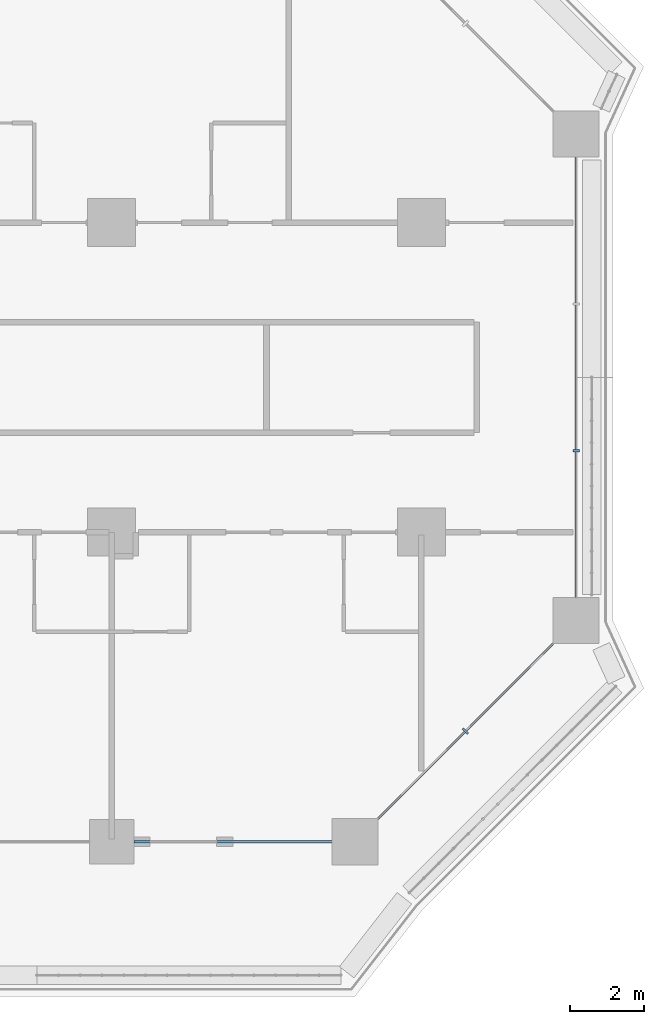
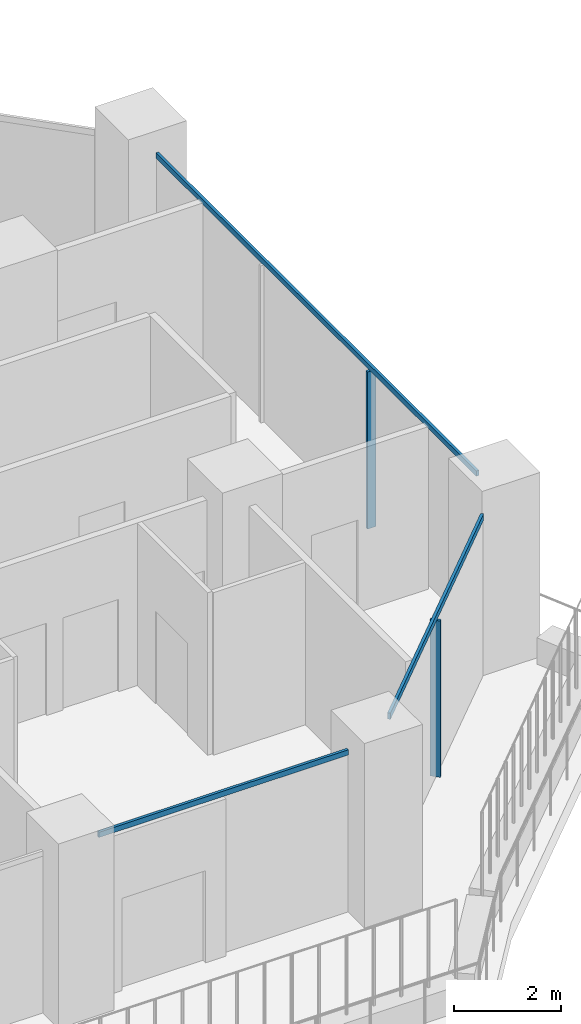
# One storey, part 6 of 28: 5 members, 3 elements without a shape of their own.
"""IFC4 building model written with IfcOpenShell, lengths in metres."""

from ifc_helpers import new_model, si_unit, direction, frame, origin, origin_2d, place, context, subcontext, project, spatial, rectangle, extrude, material, layer, layer_set, material_profile, profile_set, type_object, element, aggregate, save


model = new_model("IFC4")

# Units and contexts
model_context = context("Model", 3, precision=1e-05, world=origin(), true_north=direction((0.0, 1.0)))
body_context = subcontext(model_context, "Body", "Model", "MODEL_VIEW")
ifc_project = project(units=[si_unit("LENGTHUNIT", "METRE"), si_unit("AREAUNIT", "SQUARE_METRE"), si_unit("VOLUMEUNIT", "CUBIC_METRE"), si_unit("PLANEANGLEUNIT", "RADIAN"), si_unit("MASSUNIT", "GRAM", prefix="KILO")], contexts=[model_context])

# Site, building, storey
site_placement = place(None, origin())
site = spatial("IfcSite", under=ifc_project, at=site_placement, CompositionType="ELEMENT")
building_placement = place(site_placement, origin())
building = spatial("IfcBuilding", under=site, at=building_placement, Name="Kawkab Arch Medical Tower", CompositionType="ELEMENT")
storey_placement = place(building_placement, frame((0.0, 0.0, 89.60009765625)))
storey = spatial("IfcBuildingStorey", under=building, at=storey_placement, Name="L20", CompositionType="ELEMENT", Elevation=89.60009765625)

# Curtain wall, member
ifc_material_1 = material(Name="Bronze anodised aluminium curtain wall frame", Category="aluminium")
ifc_layer_1 = layer(ifc_material_1, 0.159912109375)
ifc_layer_set_1 = layer_set([ifc_layer_1], Name="Bronze anodised aluminium curtain wall frame")
curtain_wall_type_1 = type_object("IfcCurtainWallType", Name="CW1 ward curtain wall", PredefinedType="NOTDEFINED", material=ifc_layer_set_1)
placement = place(storey_placement, origin())
curtain_wall_1 = element("IfcCurtainWall", 1, at=placement, inside=storey, type_object=curtain_wall_type_1, Name="CW1 Ward curtain wall R09", PredefinedType="NOTDEFINED")
ifc_material_2 = material(Name="Bronze anodised aluminium curtain wall frame", Category="aluminium")
ifc_material_profile_1 = material_profile(ifc_material_2, rectangle(XDim=0.179931640625, YDim=0.06005859375, at=origin_2d()), Name="AL 60x180")
ifc_profile_set_1 = profile_set([ifc_material_profile_1], Name="Bronze anodised aluminium curtain wall frame")
member_type_1 = type_object("IfcMemberType", Name="CW1 mullion 60 x 180", PredefinedType="MULLION", material=ifc_profile_set_1)
member_1_placement = place(storey_placement, frame((79.800048828125, -14.591552734375, 0.0), z_axis=(0.0, 0.0, 1.0), x_axis=(-1.0, 0.0, 0.0)))
member_1 = element("IfcMember", 2, at=member_1_placement, type_object=member_type_1, Name="CW1 mullion 1.1", PredefinedType="MULLION", context=body_context, shape_type="SweptSolid", body=[
    extrude(rectangle(XDim=0.179931640625, YDim=0.06005859375, at=origin_2d()), origin(), (0.0, 0.0, 1.0), 3.579833984375),
])

curtain_wall_2 = element("IfcCurtainWall", 3, at=placement, inside=storey, type_object=curtain_wall_type_1, Name="CW1 Ward curtain wall R07", PredefinedType="NOTDEFINED")
ifc_material_3 = material(Name="Bronze anodised aluminium curtain wall frame", Category="aluminium")
ifc_material_profile_2 = material_profile(ifc_material_3, rectangle(XDim=0.06005859375, YDim=0.1201171875, at=origin_2d()), Name="AL 60x120")
ifc_profile_set_2 = profile_set([ifc_material_profile_2], Name="Bronze anodised aluminium curtain wall frame")
member_type_2 = type_object("IfcMemberType", Name="CW1 transom 120 x 60", PredefinedType="USERDEFINED", material=ifc_profile_set_2)
member_2_placement = place(storey_placement, frame((67.800048828125, -25.199951171875, 3.639892578125), z_axis=(1.0, 0.0, 0.0), x_axis=(0.0, 1.0, 0.0)))
member_2 = element("IfcMember", 4, at=member_2_placement, type_object=member_type_2, Name="CW1 transom 5", ObjectType="TRANSOM", PredefinedType="USERDEFINED", context=body_context, shape_type="SweptSolid", body=[
    extrude(rectangle(XDim=0.06005859375, YDim=0.1201171875, at=origin_2d()), origin(), (0.0, 0.0, 1.0), 5.375),
])
aggregate(curtain_wall_2, [member_2])

# Member
member_3_placement = place(storey_placement, frame((79.800048828125, -18.574951171875, 3.639892578125), z_axis=(0.0, 1.0, 0.0), x_axis=(-1.0, 0.0, 0.0)))
member_3 = element("IfcMember", 5, at=member_3_placement, type_object=member_type_2, Name="CW1 transom 1", ObjectType="TRANSOM", PredefinedType="USERDEFINED", context=body_context, shape_type="SweptSolid", body=[
    extrude(rectangle(XDim=0.06005859375, YDim=0.1201171875, at=origin_2d()), origin(), (0.0, 0.0, 1.0), 11.949951171875),
])

aggregate(curtain_wall_1, [member_3, member_1])

# Curtain wall, members
ifc_material_4 = material(Name="Bronze anodised aluminium curtain wall frame", Category="aluminium")
ifc_layer_2 = layer(ifc_material_4, 0.159912109375)
ifc_layer_set_2 = layer_set([ifc_layer_2], Name="Bronze anodised aluminium curtain wall frame")
curtain_wall_type_2 = type_object("IfcCurtainWallType", Name="CW2 chamfer curtain wall", PredefinedType="NOTDEFINED", material=ifc_layer_set_2)
curtain_wall_3 = element("IfcCurtainWall", 6, at=placement, inside=storey, type_object=curtain_wall_type_2, Name="CW2 Chamfer curtain wall R08", PredefinedType="NOTDEFINED")
ifc_material_5 = material(Name="Bronze anodised aluminium curtain wall frame", Category="aluminium")
ifc_material_profile_3 = material_profile(ifc_material_5, rectangle(XDim=0.199951171875, YDim=0.06005859375, at=origin_2d()), Name="AL 60x200")
ifc_profile_set_3 = profile_set([ifc_material_profile_3], Name="Bronze anodised aluminium curtain wall frame")
member_type_3 = type_object("IfcMemberType", Name="CW2 mullion 60 x 200", PredefinedType="MULLION", material=ifc_profile_set_3)
member_4_placement = place(storey_placement, frame((76.800048828125, -22.199951171875, 0.0), z_axis=(0.0, 0.0, 1.0), x_axis=(-0.707106781187, 0.707106781187, 0.0)))
member_4 = element("IfcMember", 7, at=member_4_placement, type_object=member_type_3, Name="CW2 mullion 1.1", PredefinedType="MULLION", context=body_context, shape_type="SweptSolid", body=[
    extrude(rectangle(XDim=0.199951171875, YDim=0.06005859375, at=origin_2d()), origin(), (0.0, 0.0, 1.0), 3.559814453125),
])
ifc_material_6 = material(Name="Bronze anodised aluminium curtain wall frame", Category="aluminium")
ifc_material_profile_4 = material_profile(ifc_material_6, rectangle(XDim=0.06005859375, YDim=0.139892578125, at=origin_2d()), Name="AL 60x140")
ifc_profile_set_4 = profile_set([ifc_material_profile_4], Name="Bronze anodised aluminium curtain wall frame")
member_type_4 = type_object("IfcMemberType", Name="CW2 transom 140 x 60", PredefinedType="USERDEFINED", material=ifc_profile_set_4)
member_5_placement = place(storey_placement, frame((74.425048828125, -24.574951171875, 3.6298828125), z_axis=(0.707106781187, 0.707106781187, 0.0), x_axis=(-0.707106781187, 0.707106781187, 0.0)))
member_5 = element("IfcMember", 8, at=member_5_placement, type_object=member_type_4, Name="CW2 transom 1", ObjectType="TRANSOM", PredefinedType="USERDEFINED", context=body_context, shape_type="SweptSolid", body=[
    extrude(rectangle(XDim=0.06005859375, YDim=0.139892578125, at=origin_2d()), origin(), (0.0, 0.0, 1.0), 6.717529296875),
])
aggregate(curtain_wall_3, [member_5, member_4])

save(model, "model.ifc")
